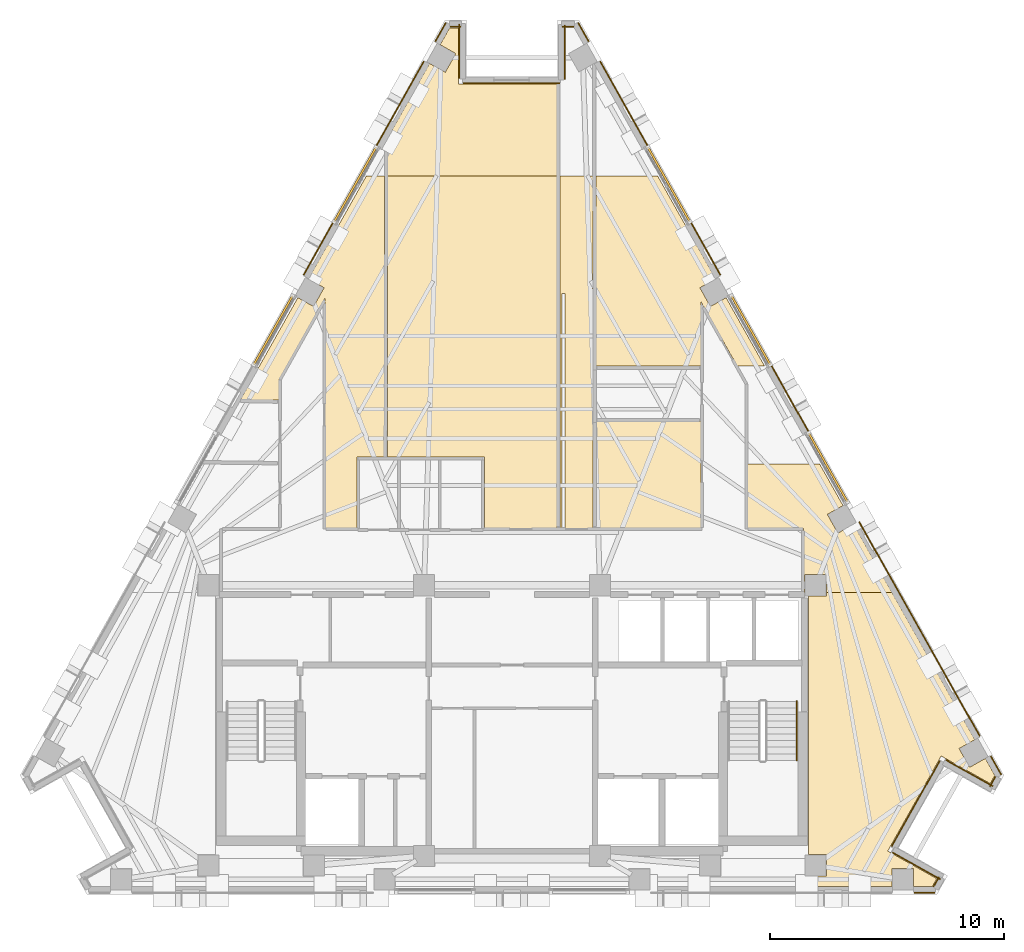
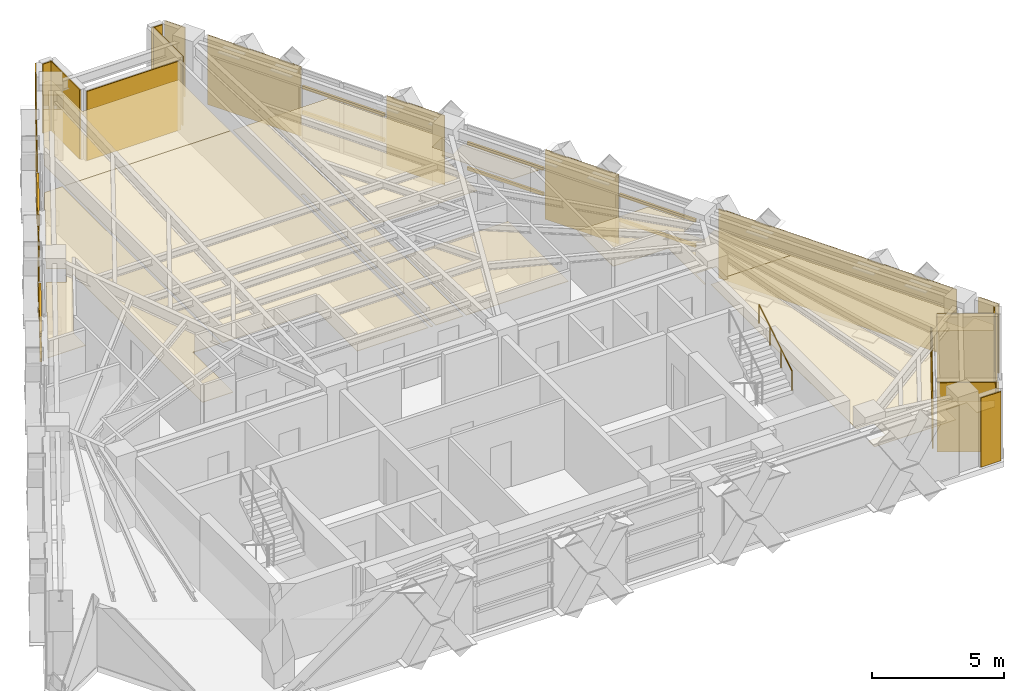
# One storey, part 12 of 12: 28 coverings, 10 shading devices, 1 railing.
"""IFC4 building model written with IfcOpenShell, lengths in metres."""

import ifcopenshell
import ifcopenshell.guid

model = None  # the IFC model being written
_history = None  # IfcOwnerHistory: only IFC2X3 demands one
_inside = {}  # id of a spatial element -> (the spatial element, [elements in it])
_under = {}  # id of a project, library or spatial element -> (it, [spatial elements below it])
_declared = {}  # id of a project -> (the project, [libraries it declares])
_typed = {}  # id of a type object -> (the type object, [elements of that type])
_made_of = {}  # id of a material, layer set ... -> (it, [elements and type objects made of it])


def new_model(schema):
    """Start an empty IFC model of exactly this schema.

    Asked for "IFC4X3", IfcOpenShell would pick the latest addendum, in which some entities
    have other attributes; the version numbers below select the first issue.
    IFC2X3 requires an IfcOwnerHistory on every rooted entity: one is made here for all.
    """
    global model, _history
    if schema == "IFC4X3":
        model = ifcopenshell.file(schema_version=(4, 3, 0, 0))
    else:
        model = ifcopenshell.file(schema=schema)
    _inside.clear()
    _under.clear()
    _declared.clear()
    _typed.clear()
    _made_of.clear()
    _history = None
    if model.schema == "IFC2X3":
        org = make("IfcOrganization", Name="unknown")
        user = make(
            "IfcPersonAndOrganization",
            ThePerson=make("IfcPerson", FamilyName="unknown"),
            TheOrganization=org,
        )
        app = make(
            "IfcApplication",
            ApplicationDeveloper=org,
            Version="unknown",
            ApplicationFullName="unknown",
            ApplicationIdentifier="unknown",
        )
        _history = make(
            "IfcOwnerHistory",
            OwningUser=user,
            OwningApplication=app,
            ChangeAction="ADDED",
            CreationDate=0,
        )
    return model


def make(cls, **values):
    """One entity of the class cls with the attributes given. An attribute that is None is left unset."""
    return model.create_entity(
        cls, **{name: value for name, value in values.items() if value is not None}
    )


def rooted(cls, **values):
    """An entity with a GlobalId (a new one), such as an element, a storey or a relation."""
    return make(cls, GlobalId=ifcopenshell.guid.new(), OwnerHistory=_history, **values)


def si_unit(unit_type, name, prefix=None):
    """IfcSIUnit, for example si_unit("LENGTHUNIT", "METRE", prefix="MILLI")."""
    return make("IfcSIUnit", UnitType=unit_type, Prefix=prefix, Name=name)


def assignment(units):
    """IfcUnitAssignment: the units of a project."""
    return None if units is None else make("IfcUnitAssignment", Units=units)


def point(xyz):
    """IfcCartesianPoint."""
    return None if xyz is None else make("IfcCartesianPoint", Coordinates=xyz)


def direction(xyz):
    """IfcDirection."""
    return None if xyz is None else make("IfcDirection", DirectionRatios=xyz)


def frame(location, z_axis=None, x_axis=None):
    """IfcAxis2Placement3D, a coordinate frame: its origin and axes. An axis left out is left unset."""
    return make(
        "IfcAxis2Placement3D",
        Location=point(location),
        Axis=direction(z_axis),
        RefDirection=direction(x_axis),
    )


def frame_2d(location, x_axis=None):
    """IfcAxis2Placement2D, a coordinate frame in the plane: its origin and x axis."""
    return make(
        "IfcAxis2Placement2D", Location=point(location), RefDirection=direction(x_axis)
    )


def origin():
    """The frame at (0, 0, 0) with its axes left unset."""
    return frame((0.0, 0.0, 0.0))


def origin_2d():
    """The frame at (0, 0) in the plane with its x axis left unset."""
    return frame_2d((0.0, 0.0))


def place(relative_to, where):
    """IfcLocalPlacement: puts the frame where relative to a parent placement (None: the world)."""
    return make(
        "IfcLocalPlacement", PlacementRelTo=relative_to, RelativePlacement=where
    )


def context(
    kind, dimensions, precision=None, world=None, true_north=None, identifier=None
):
    """IfcGeometricRepresentationContext, for example the 3D "Model" context."""
    return make(
        "IfcGeometricRepresentationContext",
        ContextIdentifier=identifier,
        ContextType=kind,
        CoordinateSpaceDimension=dimensions,
        Precision=precision,
        WorldCoordinateSystem=world,
        TrueNorth=true_north,
    )


def subcontext(parent, identifier, kind, view, scale=None):
    """IfcGeometricRepresentationSubContext, for example "Body" below "Model"."""
    return make(
        "IfcGeometricRepresentationSubContext",
        ContextIdentifier=identifier,
        ContextType=kind,
        ParentContext=parent,
        TargetScale=scale,
        TargetView=view,
    )


def project(units=None, contexts=None):
    """IfcProject with its units and contexts."""
    return rooted(
        "IfcProject",
        Name="project",
        RepresentationContexts=contexts,
        UnitsInContext=assignment(units),
    )


def spatial(cls, under=None, at=None, **own):
    """A site, building, storey or space (cls), placed at a placement, below another one or the project."""
    s = rooted(cls, ObjectPlacement=at, **own)
    if under is not None:
        _under.setdefault(under.id(), (under, []))[1].append(s)
    return s


def polyline(points):
    """IfcPolyline through the points."""
    return make("IfcPolyline", Points=[point(p) for p in points])


def profile(cls, at=None, kind="AREA", **sizes):
    """A parametric profile (cls). Its sizes go by their IFC names, for example OverallWidth=200.0."""
    return make(cls, ProfileType=kind, Position=at, **sizes)


def rectangle(**sizes):
    """IfcRectangleProfileDef."""
    return profile("IfcRectangleProfileDef", **sizes)


def circle(**sizes):
    """IfcCircleProfileDef."""
    return profile("IfcCircleProfileDef", **sizes)


def outline(outer, holes=None, kind="AREA"):
    """IfcArbitraryClosedProfileDef: a profile drawn as a closed curve; with holes, ...WithVoids."""
    if holes is None:
        return make("IfcArbitraryClosedProfileDef", ProfileType=kind, OuterCurve=outer)
    return make(
        "IfcArbitraryProfileDefWithVoids",
        ProfileType=kind,
        OuterCurve=outer,
        InnerCurves=holes,
    )


def extrude(swept, where, along, depth):
    """IfcExtrudedAreaSolid: the profile swept, set in the frame where, extruded along a direction by depth."""
    return make(
        "IfcExtrudedAreaSolid",
        SweptArea=swept,
        Position=where,
        ExtrudedDirection=direction(along),
        Depth=depth,
    )


def shape(context_of_items, identifier, shape_type, items):
    """IfcShapeRepresentation: the items that make up one representation, for example the "Body"."""
    return make(
        "IfcShapeRepresentation",
        ContextOfItems=context_of_items,
        RepresentationIdentifier=identifier,
        RepresentationType=shape_type,
        Items=items,
    )


def material(Name=None, Category=None):
    """IfcMaterial."""
    return make("IfcMaterial", Name=Name, Category=Category)


def layer(
    of_material, thickness, ventilated=None, Name=None, Category=None, Priority=None
):
    """IfcMaterialLayer: one layer of a wall or slab, of a material (None: an air gap)."""
    return make(
        "IfcMaterialLayer",
        Material=of_material,
        LayerThickness=thickness,
        IsVentilated=ventilated,
        Name=Name,
        Category=Category,
        Priority=Priority,
    )


def layer_set(layers, Name=None):
    """IfcMaterialLayerSet."""
    return make("IfcMaterialLayerSet", MaterialLayers=layers, LayerSetName=Name)


def material_profile(
    of_material, cross_section, Name=None, Category=None, Priority=None
):
    """IfcMaterialProfile: a cross section and its material."""
    return make(
        "IfcMaterialProfile",
        Name=Name,
        Material=of_material,
        Profile=cross_section,
        Priority=Priority,
        Category=Category,
    )


def profile_set(profiles, Name=None, composite=None):
    """IfcMaterialProfileSet."""
    return make(
        "IfcMaterialProfileSet",
        Name=Name,
        MaterialProfiles=profiles,
        CompositeProfile=composite,
    )


def made_of(thing, what):
    """Note that an element or type object is made of a material, layer set ...; save() writes the relation."""
    if what is not None:
        _made_of.setdefault(what.id(), (what, []))[1].append(thing)
    return thing


def type_object(cls, material=None, **own):
    """A type object (cls), such as IfcWallType, which elements share."""
    return made_of(rooted(cls, **own), material)


def element(
    cls,
    number,
    at=None,
    inside=None,
    cuts=None,
    type_object=None,
    material=None,
    context=None,
    identifier="Body",
    shape_type=None,
    held_by="IfcProductDefinitionShape",
    body=None,
    shapes=None,
    **own,
):
    """One element of the class cls, such as IfcWall. Its Tag is "e" and its number.

    at: its placement. inside: the storey or other place that contains it. cuts: it is an
    opening in that element (IfcRelVoidsElement). A single representation is given by context,
    identifier, shape_type and body (its items); several are given by shapes. held_by: the class
    of the entity that holds the representations. save() writes the other relations.
    """
    e = rooted(cls, Tag="e%d" % number, ObjectPlacement=at, **own)
    if body is not None:
        shapes = [shape(context, identifier, shape_type, body)]
    if shapes is not None:
        e.Representation = make(held_by, Representations=shapes)
    if inside is not None:
        _inside.setdefault(inside.id(), (inside, []))[1].append(e)
    if cuts is not None:
        rooted(
            "IfcRelVoidsElement", RelatingBuildingElement=cuts, RelatedOpeningElement=e
        )
    if type_object is not None:
        _typed.setdefault(type_object.id(), (type_object, []))[1].append(e)
    return made_of(e, material)


def aggregate(whole, parts):
    """IfcRelAggregates: a whole, such as a stair, and the parts it consists of."""
    return rooted("IfcRelAggregates", RelatingObject=whole, RelatedObjects=parts)


def save(model, path):
    """Write the relations noted so far, then the file.

    IfcRelAggregates (storeys below a building ...), IfcRelContainedInSpatialStructure (elements
    in a storey), IfcRelDefinesByType, IfcRelAssociatesMaterial and IfcRelDeclares: one each for
    every whole, place, type object, material and project.
    """
    for whole, parts in _under.values():
        aggregate(whole, parts)
    for where, things in _inside.values():
        rooted(
            "IfcRelContainedInSpatialStructure",
            RelatedElements=things,
            RelatingStructure=where,
        )
    for kind, things in _typed.values():
        rooted("IfcRelDefinesByType", RelatedObjects=things, RelatingType=kind)
    for what, things in _made_of.values():
        rooted("IfcRelAssociatesMaterial", RelatedObjects=things, RelatingMaterial=what)
    for by, libraries in _declared.values():
        rooted("IfcRelDeclares", RelatingContext=by, RelatedDefinitions=libraries)
    model.write(path)


model = new_model("IFC4")

# Units and contexts
model_context = context("Model", 3, precision=1e-05, world=origin(), true_north=direction((0.0, 1.0)))
body_context = subcontext(model_context, "Body", "Model", "MODEL_VIEW")
ifc_project = project(units=[si_unit("LENGTHUNIT", "METRE"), si_unit("AREAUNIT", "SQUARE_METRE"), si_unit("VOLUMEUNIT", "CUBIC_METRE"), si_unit("PLANEANGLEUNIT", "RADIAN"), si_unit("MASSUNIT", "GRAM", prefix="KILO")], contexts=[model_context])

# Site, building, storey
site_placement = place(None, origin())
site = spatial("IfcSite", under=ifc_project, at=site_placement, CompositionType="ELEMENT")
building_placement = place(site_placement, origin())
building = spatial("IfcBuilding", under=site, at=building_placement, Name="Quenlor Broadcast Tower", CompositionType="ELEMENT")
storey_placement = place(building_placement, frame((0.0, 0.0, 193.89990234375)))
storey = spatial("IfcBuildingStorey", under=building, at=storey_placement, Name="L53", CompositionType="ELEMENT", Elevation=193.89990234375)

# Coverings
ifc_material_1 = material(Name="Acoustic Mineral Fibre Board", Category="other")
ifc_layer_1 = layer(ifc_material_1, 0.02490234375)
ifc_layer_set_1 = layer_set([ifc_layer_1], Name="Acoustic Perforated Mineral Tile Ceiling 25")
covering_type_1 = type_object("IfcCoveringType", Name="Acoustic Perforated Mineral Tile Ceiling 25", PredefinedType="CEILING", material=ifc_layer_set_1)
covering_1_placement = place(storey_placement, frame((0.0, 0.0, 2.375)))
element("IfcCovering", 1, at=covering_1_placement, inside=storey, type_object=covering_type_1, Name="L53 Acoustic Ceiling L53-24", PredefinedType="CEILING", context=body_context, shape_type="SweptSolid", body=[
    extrude(outline(polyline([(3.580078125, 12.64990234375), (6.21923828125, 12.64990234375), (8.685302734375, 8.26611328125), (8.015869140625, 7.889404296875), (8.465087890625, 7.09130859375), (9.13427734375, 7.4677734375), (10.764404296875, 4.570068359375), (10.773681640625, 4.55322265625), (9.603515625, 4.55322265625), (8.070068359375, 7.279296875), (8.070068359375, 4.55322265625), (3.580078125, 4.55322265625), (3.580078125, 12.64990234375)])), origin(), (0.0, 0.0, 1.0), 0.025146484375),
])
covering_2_placement = place(storey_placement, frame((0.0, 0.0, 2.375)))
element("IfcCovering", 2, at=covering_2_placement, inside=storey, type_object=covering_type_1, Name="L53 Acoustic Ceiling L53-25", PredefinedType="CEILING", context=body_context, shape_type="SweptSolid", body=[
    extrude(outline(polyline([(3.4599609375, -2.3701171875), (2.260009765625, -2.3701171875), (2.260009765625, 7.651611328125), (2.139892578125, 7.651611328125), (2.139892578125, -2.3701171875), (2.047607421875, -2.3701171875), (2.047607421875, 12.64990234375), (3.4599609375, 12.64990234375), (3.4599609375, -2.3701171875)])), origin(), (0.0, 0.0, 1.0), 0.025146484375),
])
covering_3_placement = place(storey_placement, frame((0.0, 0.0, 2.375)))
element("IfcCovering", 3, at=covering_3_placement, inside=storey, type_object=covering_type_1, Name="L53 Acoustic Ceiling L53-26", PredefinedType="CEILING", context=body_context, shape_type="SweptSolid", body=[
    extrude(outline(polyline([(1.927490234375, -2.3701171875), (-1.179931640625, -2.3701171875), (-1.179931640625, 0.669921875), (-5.320068359375, 0.669921875), (-5.320068359375, 12.64990234375), (1.927490234375, 12.64990234375), (1.927490234375, -2.3701171875)])), origin(), (0.0, 0.0, 1.0), 0.025146484375),
])
covering_4_placement = place(storey_placement, frame((0.0, 0.0, 2.375)))
element("IfcCovering", 4, at=covering_4_placement, inside=storey, type_object=covering_type_1, Name="L53 Acoustic Ceiling L53-26-2", PredefinedType="CEILING", context=body_context, shape_type="SweptSolid", body=[
    extrude(outline(polyline([(1.927490234375, 12.64990234375), (-5.320068359375, 12.64990234375), (-5.320068359375, 14.248779296875), (-3.515380859375, 17.45703125), (-2.845947265625, 17.08056640625), (-2.396728515625, 17.87890625), (-3.066162109375, 18.255615234375), (-2.6630859375, 18.971923828125), (-2.2861328125, 18.971923828125), (-2.2861328125, 16.572021484375), (1.927490234375, 16.572021484375), (1.927490234375, 12.64990234375)])), origin(), (0.0, 0.0, 1.0), 0.025146484375),
])
covering_5_placement = place(storey_placement, frame((0.0, 0.0, 2.375)))
element("IfcCovering", 5, at=covering_5_placement, inside=storey, type_object=covering_type_1, Name="L53 Acoustic Ceiling L53-27", PredefinedType="CEILING", context=body_context, shape_type="SweptSolid", body=[
    extrude(outline(polyline([(-6.6201171875, -2.3701171875), (-7.969970703125, -2.3701171875), (-7.969970703125, 7.45703125), (-9.929931640625, 3.97265625), (-9.929931640625, 3.110107421875), (-11.58544921875, 3.110107421875), (-9.13427734375, 7.4677734375), (-8.465087890625, 7.09130859375), (-8.015869140625, 7.889404296875), (-8.685302734375, 8.26611328125), (-6.21923828125, 12.64990234375), (-5.43994140625, 12.64990234375), (-5.43994140625, 0.669921875), (-6.6201171875, 0.669921875), (-6.6201171875, -2.3701171875)])), origin(), (0.0, 0.0, 1.0), 0.025146484375),
])
covering_6_placement = place(storey_placement, frame((0.0, 0.0, 2.375)))
element("IfcCovering", 6, at=covering_6_placement, inside=storey, type_object=covering_type_1, Name="L53 Acoustic Ceiling L53-30", PredefinedType="CEILING", context=body_context, shape_type="SweptSolid", body=[
    extrude(outline(polyline([(8.070068359375, 2.201904296875), (8.070068359375, -2.3701171875), (3.580078125, -2.3701171875), (3.580078125, 2.201904296875), (8.070068359375, 2.201904296875)])), origin(), (0.0, 0.0, 1.0), 0.025146484375),
])
covering_7_placement = place(storey_placement, frame((0.0, 0.0, 2.375)))
element("IfcCovering", 7, at=covering_7_placement, inside=storey, type_object=covering_type_1, Name="L53 Acoustic Ceiling L53-31-2", PredefinedType="CEILING", context=body_context, shape_type="SweptSolid", body=[
    extrude(outline(polyline([(13.407958984375, -4.342041015625), (12.491943359375, -4.342041015625), (12.491943359375, -5.1201171875), (12.43994140625, -5.1201171875), (12.43994140625, -2.3701171875), (10.030029296875, -2.3701171875), (10.030029296875, 0.36474609375), (13.129638671875, 0.36474609375), (14.123046875, -1.401123046875), (13.45361328125, -1.777587890625), (13.90283203125, -2.575927734375), (14.572021484375, -2.199462890625), (16.21484375, -5.1201171875), (13.407958984375, -5.1201171875), (13.407958984375, -4.342041015625)])), origin(), (0.0, 0.0, 1.0), 0.025146484375),
])
covering_8_placement = place(storey_placement, frame((0.0, 0.0, 2.375)))
element("IfcCovering", 8, at=covering_8_placement, inside=storey, type_object=covering_type_1, Name="L53 Acoustic Ceiling L53-31-4", PredefinedType="CEILING", context=body_context, shape_type="SweptSolid", body=[
    extrude(outline(polyline([(13.407958984375, -17.2080078125), (13.407958984375, -16.2919921875), (12.64990234375, -16.2919921875), (12.64990234375, -5.258056640625), (13.407958984375, -5.258056640625), (13.407958984375, -5.1201171875), (16.21484375, -5.1201171875), (19.7421875, -11.390625), (19.07275390625, -11.76708984375), (19.52197265625, -12.5654296875), (20.191162109375, -12.18896484375), (20.597900390625, -12.912109375), (20.400390625, -13.26318359375), (18.30859375, -12.08642578125), (16.029052734375, -16.138916015625), (18.120849609375, -17.315673828125), (17.927001953125, -17.659912109375), (17.1337890625, -17.659912109375), (17.1337890625, -16.89208984375), (16.218017578125, -16.89208984375), (16.218017578125, -17.659912109375), (12.64990234375, -17.659912109375), (12.64990234375, -17.2080078125), (13.407958984375, -17.2080078125)])), origin(), (0.0, 0.0, 1.0), 0.025146484375),
])

# Shading devices
ifc_material_2 = material(Name="Architectural Terracotta Ceramic", Category="masonry")
ifc_material_profile = material_profile(ifc_material_2, rectangle(XDim=0.090087890625, YDim=0.139892578125, at=origin_2d()))
ifc_profile_set = profile_set([ifc_material_profile], Name="Architectural Terracotta Ceramic BAG90x140")
shading_device_type = type_object("IfcShadingDeviceType", Name="Copper Terracotta Baguette Solar Screen 140", PredefinedType="USERDEFINED", material=ifc_profile_set)
for number, where, z_axis, x_axis, name in (
    (9, (5.80029296875, 13.88037109375, 1.170166015625), (0.490232575405, -0.871591660132, 0.0), (0.871591660132, 0.490232575405, 0.0), "L53 Terracotta Baguette Screen 1"),
    (10, (5.80029296875, 13.88037109375, 2.340087890625), (0.490232575405, -0.871591660132, 0.0), (0.871591660132, 0.490232575405, 0.0), "L53 Terracotta Baguette Screen 2"),
):
    element("IfcShadingDevice", number, at=place(storey_placement, frame(where, z_axis=z_axis, x_axis=x_axis)), inside=storey, type_object=shading_device_type, Name=name, ObjectType="BAGUETTE", PredefinedType="USERDEFINED", context=body_context, shape_type="SweptSolid", body=[
        extrude(rectangle(XDim=0.090087890625, YDim=0.139892578125, at=origin_2d()), origin(), (0.0, 0.0, 1.0), 3.639404296875),
    ])
for number, where, z_axis, x_axis, name in (
    (11, (9.3642578125, 7.54443359375, 1.170166015625), (0.490250903893, -0.871581350897, 0.0), (0.871581350897, 0.490250903893, 0.0), "L53 Terracotta Baguette Screen 1"),
    (12, (9.3642578125, 7.54443359375, 2.340087890625), (0.490250903893, -0.871581350897, 0.0), (0.871581350897, 0.490250903893, 0.0), "L53 Terracotta Baguette Screen 2"),
):
    element("IfcShadingDevice", number, at=place(storey_placement, frame(where, z_axis=z_axis, x_axis=x_axis)), inside=storey, type_object=shading_device_type, Name=name, ObjectType="BAGUETTE", PredefinedType="USERDEFINED", context=body_context, shape_type="SweptSolid", body=[
        extrude(rectangle(XDim=0.090087890625, YDim=0.139892578125, at=origin_2d()), origin(), (0.0, 0.0, 1.0), 3.364501953125),
    ])
for number, where, z_axis, x_axis, name in (
    (13, (12.65869140625, 1.68798828125, 1.170166015625), (0.490195776457, -0.871612356925, 0.0), (0.871612356925, 0.490195776457, 0.0), "L53 Terracotta Baguette Screen 1"),
    (14, (12.65869140625, 1.68798828125, 2.340087890625), (0.490195776457, -0.871612356925, 0.0), (0.871612356925, 0.490195776457, 0.0), "L53 Terracotta Baguette Screen 2"),
):
    element("IfcShadingDevice", number, at=place(storey_placement, frame(where, z_axis=z_axis, x_axis=x_axis)), inside=storey, type_object=shading_device_type, Name=name, ObjectType="BAGUETTE", PredefinedType="USERDEFINED", context=body_context, shape_type="SweptSolid", body=[
        extrude(rectangle(XDim=0.090087890625, YDim=0.139892578125, at=origin_2d()), origin(), (0.0, 0.0, 1.0), 3.3642578125),
    ])
for number, where, z_axis, x_axis, name in (
    (15, (-7.58447265625, 10.708251953125, 1.170166015625), (0.490232575405, 0.871591660132, 0.0), (-0.871591660132, 0.490232575405, 0.0), "L53 Terracotta Baguette Screen 1"),
    (16, (-7.58447265625, 10.708251953125, 2.340087890625), (0.490232575405, 0.871591660132, 0.0), (-0.871591660132, 0.490232575405, 0.0), "L53 Terracotta Baguette Screen 2"),
):
    element("IfcShadingDevice", number, at=place(storey_placement, frame(where, z_axis=z_axis, x_axis=x_axis)), inside=storey, type_object=shading_device_type, Name=name, ObjectType="BAGUETTE", PredefinedType="USERDEFINED", context=body_context, shape_type="SweptSolid", body=[
        extrude(rectangle(XDim=0.090087890625, YDim=0.139892578125, at=origin_2d()), origin(), (0.0, 0.0, 1.0), 3.639404296875),
    ])
for number, where, z_axis, x_axis, name in (
    (17, (-11.013671875, 4.612060546875, 1.170166015625), (0.490250903893, 0.871581350897, 0.0), (-0.871581350897, 0.490250903893, 0.0), "L53 Terracotta Baguette Screen 1"),
    (18, (-11.013671875, 4.612060546875, 2.340087890625), (0.490250903893, 0.871581350897, 0.0), (-0.871581350897, 0.490250903893, 0.0), "L53 Terracotta Baguette Screen 2"),
):
    element("IfcShadingDevice", number, at=place(storey_placement, frame(where, z_axis=z_axis, x_axis=x_axis)), inside=storey, type_object=shading_device_type, Name=name, ObjectType="BAGUETTE", PredefinedType="USERDEFINED", context=body_context, shape_type="SweptSolid", body=[
        extrude(rectangle(XDim=0.090087890625, YDim=0.139892578125, at=origin_2d()), origin(), (0.0, 0.0, 1.0), 3.364501953125),
    ])

# Coverings
ifc_material_3 = material(Name="Architectural Terracotta Ceramic", Category="masonry")
ifc_layer_2 = layer(ifc_material_3, 0.044921875)
ifc_layer_set_2 = layer_set([ifc_layer_2], Name="Fluted Terracotta Rainscreen Cladding Panel")
covering_type_2 = type_object("IfcCoveringType", Name="Fluted Terracotta Rainscreen Cladding Panel", PredefinedType="CLADDING", material=ifc_layer_set_2)
covering_9_placement = place(storey_placement, frame((0.0, 0.0, 0.02001953125)))
element("IfcCovering", 19, at=covering_9_placement, inside=storey, type_object=covering_type_2, Name="L53 Terracotta Rainscreen Cladding L53-SHD-SS0", PredefinedType="CLADDING", context=body_context, shape_type="SweptSolid", body=[
    extrude(outline(polyline([(18.035888671875, -17.886962890625), (17.160888671875, -17.886962890625), (17.160888671875, -17.931884765625), (18.035888671875, -17.931884765625), (18.035888671875, -17.886962890625)])), origin(), (0.0, 0.0, 1.0), 3.2099609375),
])
covering_10_placement = place(storey_placement, frame((0.0, 0.0, 0.02001953125)))
element("IfcCovering", 20, at=covering_10_placement, inside=storey, type_object=covering_type_2, Name="L53 Terracotta Rainscreen Cladding L53-SHD-NES0", PredefinedType="CLADDING", context=body_context, shape_type="SweptSolid", body=[
    extrude(outline(polyline([(2.8076171875, 19.17822265625), (3.250732421875, 18.390380859375), (3.2900390625, 18.412353515625), (2.8466796875, 19.2001953125), (2.8076171875, 19.17822265625)])), origin(), (0.0, 0.0, 1.0), 3.2099609375),
])
covering_11_placement = place(storey_placement, frame((0.0, 0.0, 0.02001953125)))
element("IfcCovering", 21, at=covering_11_placement, inside=storey, type_object=covering_type_2, Name="L53 Terracotta Rainscreen Cladding L53-SHD-NES1", PredefinedType="CLADDING", context=body_context, shape_type="SweptSolid", body=[
    extrude(outline(polyline([(20.402099609375, -12.10107421875), (20.845458984375, -12.888916015625), (20.884521484375, -12.866943359375), (20.44140625, -12.0791015625), (20.402099609375, -12.10107421875)])), origin(), (0.0, 0.0, 1.0), 3.2099609375),
])
covering_12_placement = place(storey_placement, frame((0.0, 0.0, 0.02001953125)))
element("IfcCovering", 22, at=covering_12_placement, inside=storey, type_object=covering_type_2, Name="L53 Terracotta Rainscreen Cladding L53-NEA-SP1", PredefinedType="CLADDING", context=body_context, shape_type="SweptSolid", body=[
    extrude(outline(polyline([(3.744873046875, 17.532470703125), (5.76806640625, 13.935546875), (5.80712890625, 13.95751953125), (3.7841796875, 17.554443359375), (3.744873046875, 17.532470703125)])), origin(), (0.0, 0.0, 1.0), 3.2099609375),
])
covering_13_placement = place(storey_placement, frame((0.0, 0.0, 0.02001953125)))
element("IfcCovering", 23, at=covering_13_placement, inside=storey, type_object=covering_type_2, Name="L53 Terracotta Rainscreen Cladding L53-NEA-SP2", PredefinedType="CLADDING", context=body_context, shape_type="SweptSolid", body=[
    extrude(outline(polyline([(7.614990234375, 10.652099609375), (8.86865234375, 8.42333984375), (8.907958984375, 8.4453125), (7.654296875, 10.674072265625), (7.614990234375, 10.652099609375)])), origin(), (0.0, 0.0, 1.0), 3.2099609375),
])
covering_14_placement = place(storey_placement, frame((0.0, 0.0, 0.02001953125)))
element("IfcCovering", 24, at=covering_14_placement, inside=storey, type_object=covering_type_2, Name="L53 Terracotta Rainscreen Cladding L53-EW-NEC", PredefinedType="CLADDING", context=body_context, shape_type="SweptSolid", body=[
    extrude(outline(polyline([(14.7919921875, -2.106689453125), (19.935302734375, -11.250732421875), (19.974609375, -11.228759765625), (14.831298828125, -2.084716796875), (14.7919921875, -2.106689453125)])), origin(), (0.0, 0.0, 1.0), 3.2099609375),
])
covering_15_placement = place(storey_placement, frame((0.0, 0.0, 0.02001953125)))
element("IfcCovering", 25, at=covering_15_placement, inside=storey, type_object=covering_type_2, Name="L53 Terracotta Rainscreen Cladding L53-NE-SP1", PredefinedType="CLADDING", context=body_context, shape_type="SweptSolid", body=[
    extrude(outline(polyline([(11.044189453125, 4.555908203125), (12.626220703125, 1.7431640625), (12.66552734375, 1.76513671875), (11.08349609375, 4.577880859375), (11.044189453125, 4.555908203125)])), origin(), (0.0, 0.0, 1.0), 3.2099609375),
])
covering_16_placement = place(storey_placement, frame((0.0, 0.0, 0.02001953125)))
element("IfcCovering", 26, at=covering_16_placement, inside=storey, type_object=covering_type_2, Name="L53 Terracotta Rainscreen Cladding L53-SHD-NWS1", PredefinedType="CLADDING", context=body_context, shape_type="SweptSolid", body=[
    extrude(outline(polyline([(-3.250732421875, 18.390380859375), (-2.8076171875, 19.17822265625), (-2.8466796875, 19.2001953125), (-3.2900390625, 18.412353515625), (-3.250732421875, 18.390380859375)])), origin(), (0.0, 0.0, 1.0), 3.2099609375),
])
covering_17_placement = place(storey_placement, frame((0.0, 0.0, 0.02001953125)))
element("IfcCovering", 27, at=covering_17_placement, inside=storey, type_object=covering_type_2, Name="L53 Terracotta Rainscreen Cladding L53-NWC-SP1", PredefinedType="CLADDING", context=body_context, shape_type="SweptSolid", body=[
    extrude(outline(polyline([(-8.86865234375, 8.42333984375), (-7.614990234375, 10.652099609375), (-7.654296875, 10.674072265625), (-8.907958984375, 8.4453125), (-8.86865234375, 8.42333984375)])), origin(), (0.0, 0.0, 1.0), 3.2099609375),
])
covering_18_placement = place(storey_placement, frame((0.0, 0.0, 0.02001953125)))
element("IfcCovering", 28, at=covering_18_placement, inside=storey, type_object=covering_type_2, Name="L53 Terracotta Rainscreen Cladding L53-NWC-SP2", PredefinedType="CLADDING", context=body_context, shape_type="SweptSolid", body=[
    extrude(outline(polyline([(-5.76806640625, 13.935546875), (-3.744873046875, 17.532470703125), (-3.7841796875, 17.554443359375), (-5.80712890625, 13.95751953125), (-5.76806640625, 13.935546875)])), origin(), (0.0, 0.0, 1.0), 3.2099609375),
])
covering_19_placement = place(storey_placement, frame((0.0, 0.0, 0.02001953125)))
element("IfcCovering", 29, at=covering_19_placement, inside=storey, type_object=covering_type_2, Name="L53 Terracotta Rainscreen Cladding L53-CNR-01", PredefinedType="CLADDING", context=body_context, shape_type="SweptSolid", body=[
    extrude(outline(polyline([(18.284912109375, -17.329833984375), (16.245361328125, -16.1826171875), (16.223388671875, -16.2216796875), (18.262939453125, -17.368896484375), (18.284912109375, -17.329833984375)])), origin(), (0.0, 0.0, 1.0), 3.2099609375),
])
covering_20_placement = place(storey_placement, frame((0.0, 0.0, 0.02001953125)))
element("IfcCovering", 30, at=covering_20_placement, inside=storey, type_object=covering_type_2, Name="L53 Terracotta Rainscreen Cladding L53-CNR-02", PredefinedType="CLADDING", context=body_context, shape_type="SweptSolid", body=[
    extrude(outline(polyline([(16.2109375, -15.954345703125), (18.264892578125, -12.302734375), (18.225830078125, -12.28076171875), (16.171630859375, -15.932373046875), (16.2109375, -15.954345703125)])), origin(), (0.0, 0.0, 1.0), 2.681884765625),
])
covering_21_placement = place(storey_placement, frame((0.0, 0.0, 0.02001953125)))
element("IfcCovering", 31, at=covering_21_placement, inside=storey, type_object=covering_type_2, Name="L53 Terracotta Rainscreen Cladding L53-CNR-03", PredefinedType="CLADDING", context=body_context, shape_type="SweptSolid", body=[
    extrude(outline(polyline([(18.493408203125, -12.268310546875), (20.497802734375, -13.39599609375), (20.52001953125, -13.356689453125), (18.515380859375, -12.22900390625), (18.493408203125, -12.268310546875)])), origin(), (0.0, 0.0, 1.0), 3.2099609375),
])
covering_22_placement = place(storey_placement, frame((0.0, 0.0, 0.02001953125)))
element("IfcCovering", 32, at=covering_22_placement, inside=storey, type_object=covering_type_2, Name="L53 Terracotta Rainscreen Cladding L53-CNR-04", PredefinedType="CLADDING", context=body_context, shape_type="SweptSolid", body=[
    extrude(outline(polyline([(20.40576171875, -13.39208984375), (20.64306640625, -12.970458984375), (20.60400390625, -12.948486328125), (20.36669921875, -13.3701171875), (20.40576171875, -13.39208984375)])), origin(), (0.0, 0.0, 1.0), 3.2099609375),
])
covering_23_placement = place(storey_placement, frame((0.0, 0.0, 0.02001953125)))
element("IfcCovering", 33, at=covering_23_placement, inside=storey, type_object=covering_type_2, Name="L53 Terracotta Rainscreen Cladding L53-CNR-06", PredefinedType="CLADDING", context=body_context, shape_type="SweptSolid", body=[
    extrude(outline(polyline([(2.62841796875, 19.0400390625), (2.13623046875, 19.0400390625), (2.13623046875, 18.9951171875), (2.62841796875, 18.9951171875), (2.62841796875, 19.0400390625)])), origin(), (0.0, 0.0, 1.0), 3.2099609375),
])
covering_24_placement = place(storey_placement, frame((0.0, 0.0, 0.02001953125)))
element("IfcCovering", 34, at=covering_24_placement, inside=storey, type_object=covering_type_2, Name="L53 Terracotta Rainscreen Cladding L53-CNR-07", PredefinedType="CLADDING", context=body_context, shape_type="SweptSolid", body=[
    extrude(outline(polyline([(2.21826171875, 19.08203125), (2.21826171875, 16.781982421875), (2.26318359375, 16.781982421875), (2.26318359375, 19.08203125), (2.21826171875, 19.08203125)])), origin(), (0.0, 0.0, 1.0), 3.2099609375),
])
covering_25_placement = place(storey_placement, frame((0.0, 0.0, 0.02001953125)))
element("IfcCovering", 35, at=covering_25_placement, inside=storey, type_object=covering_type_2, Name="L53 Terracotta Rainscreen Cladding L53-CNR-08", PredefinedType="CLADDING", context=body_context, shape_type="SweptSolid", body=[
    extrude(outline(polyline([(2.0361328125, 16.639892578125), (-2.076171875, 16.639892578125), (-2.076171875, 16.594970703125), (2.0361328125, 16.594970703125), (2.0361328125, 16.639892578125)])), origin(), (0.0, 0.0, 1.0), 3.2099609375),
])
covering_26_placement = place(storey_placement, frame((0.0, 0.0, 0.02001953125)))
element("IfcCovering", 36, at=covering_26_placement, inside=storey, type_object=covering_type_2, Name="L53 Terracotta Rainscreen Cladding L53-CNR-09", PredefinedType="CLADDING", context=body_context, shape_type="SweptSolid", body=[
    extrude(outline(polyline([(-2.21826171875, 16.822021484375), (-2.21826171875, 19.1220703125), (-2.26318359375, 19.1220703125), (-2.26318359375, 16.822021484375), (-2.21826171875, 16.822021484375)])), origin(), (0.0, 0.0, 1.0), 3.2099609375),
])
covering_27_placement = place(storey_placement, frame((0.0, 0.0, 0.02001953125)))
element("IfcCovering", 37, at=covering_27_placement, inside=storey, type_object=covering_type_2, Name="L53 Terracotta Rainscreen Cladding L53-CNR-10", PredefinedType="CLADDING", context=body_context, shape_type="SweptSolid", body=[
    extrude(outline(polyline([(-2.17626953125, 19.0400390625), (-2.62841796875, 19.0400390625), (-2.62841796875, 18.9951171875), (-2.17626953125, 18.9951171875), (-2.17626953125, 19.0400390625)])), origin(), (0.0, 0.0, 1.0), 3.2099609375),
])
covering_28_placement = place(storey_placement, frame((0.0, 0.0, 0.02001953125)))
element("IfcCovering", 38, at=covering_28_placement, inside=storey, type_object=covering_type_2, Name="L53 Terracotta Rainscreen Cladding L53-CNR-18", PredefinedType="CLADDING", context=body_context, shape_type="SweptSolid", body=[
    extrude(outline(polyline([(17.99853515625, -17.671630859375), (18.234130859375, -17.2529296875), (18.19482421875, -17.23095703125), (17.959228515625, -17.649658203125), (17.99853515625, -17.671630859375)])), origin(), (0.0, 0.0, 1.0), 3.2099609375),
])

# Railing
ifc_material_4 = material(Name="Anodised Aluminium", Category="aluminium")
railing_type = type_object("IfcRailingType", Name="Stainless Aluminium Wall Handrail 900", PredefinedType="HANDRAIL", material=ifc_material_4)
railing_placement = place(storey_placement, frame((12.14990234375, -12.27001953125, 1.925048828125)))
element("IfcRailing", 39, at=railing_placement, inside=storey, type_object=railing_type, Name="L53 ST-2 stair handrail 2", PredefinedType="HANDRAIL", context=body_context, shape_type="SweptSolid", body=[
    extrude(circle(Radius=0.02392578125, at=origin_2d()), frame((0.0, 0.0, 0.8759765625), z_axis=(0.0, 0.848007534815, 0.529984170421), x_axis=(-1.0, 0.0, 0.0)), (0.0, 0.0, 1.0), 2.9716796875),
    extrude(circle(Radius=0.02099609375, at=origin_2d()), origin(), (0.0, 0.0, 1.0), 0.851806640625),
    extrude(circle(Radius=0.02099609375, at=origin_2d()), frame((0.0, 0.840087890625, 0.52490234375)), (0.0, 0.0, 1.0), 0.851806640625),
    extrude(circle(Radius=0.02099609375, at=origin_2d()), frame((0.0, 1.679931640625, 1.050048828125)), (0.0, 0.0, 1.0), 0.851806640625),
    extrude(circle(Radius=0.02099609375, at=origin_2d()), frame((0.0, 2.52001953125, 1.574951171875)), (0.0, 0.0, 1.0), 0.851806640625),
])

save(model, "model.ifc")
